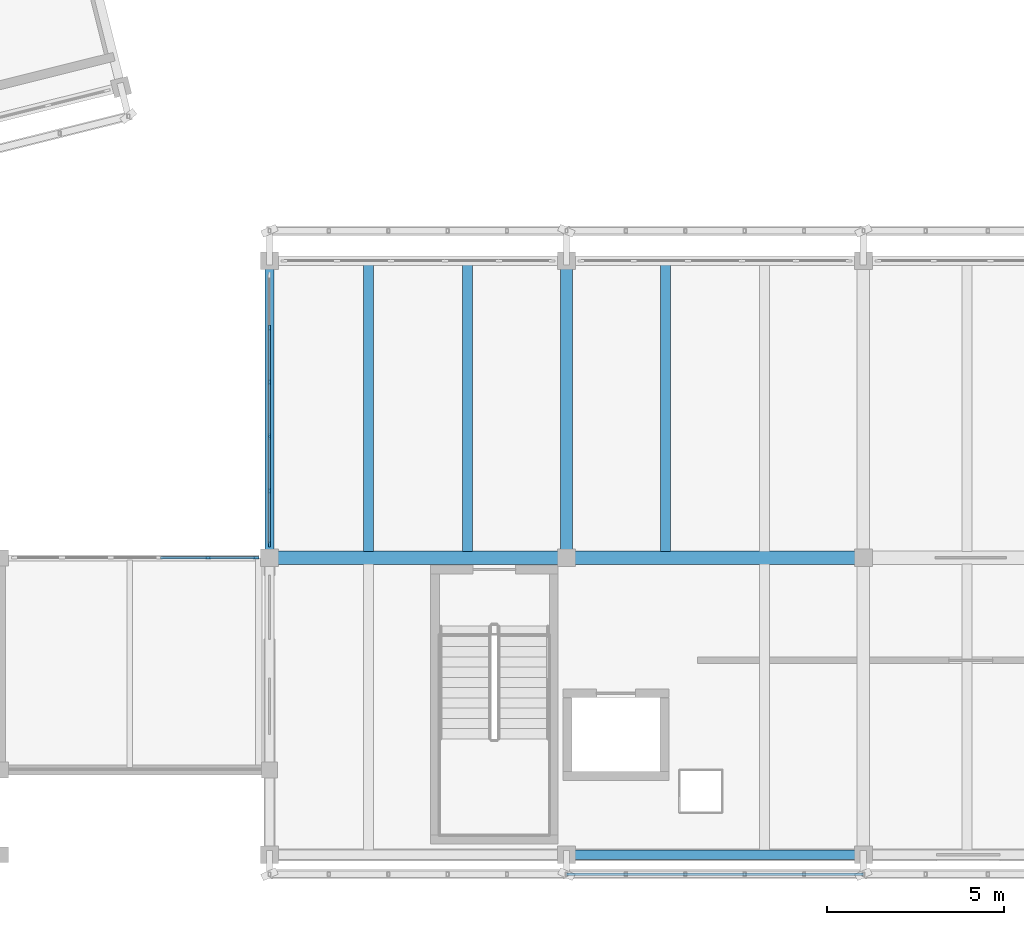
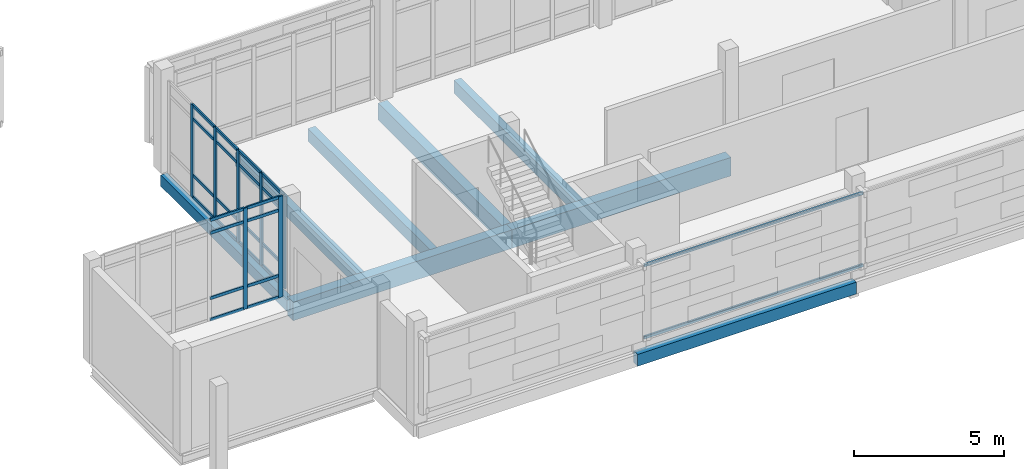
# One storey, part 9 of 137: 33 members, 8 beams, 2 elements without a shape of their own.
"""IFC4 building model written with IfcOpenShell, lengths in metres."""

from ifc_helpers import new_model, si_unit, direction, frame, origin, origin_2d, place, context, subcontext, project, spatial, rectangle, hollow_rectangle, extrude, material, material_profile, profile_set, type_object, element, aggregate, save


model = new_model("IFC4")

# Units and contexts
model_context = context("Model", 3, precision=1e-05, world=origin(), true_north=direction((0.0, 1.0)))
body_context = subcontext(model_context, "Body", "Model", "MODEL_VIEW")
ifc_project = project(units=[si_unit("LENGTHUNIT", "METRE"), si_unit("AREAUNIT", "SQUARE_METRE"), si_unit("VOLUMEUNIT", "CUBIC_METRE"), si_unit("PLANEANGLEUNIT", "RADIAN"), si_unit("MASSUNIT", "GRAM", prefix="KILO")], contexts=[model_context])

# Site, building, storey
site_placement = place(None, origin())
site = spatial("IfcSite", under=ifc_project, at=site_placement, CompositionType="ELEMENT")
building_placement = place(site_placement, origin())
building = spatial("IfcBuilding", under=site, at=building_placement, Name="Cinderway Yard Community Centre", CompositionType="ELEMENT")
storey_placement = place(building_placement, frame((0.0, 0.0, 4.800048828125)))
storey = spatial("IfcBuildingStorey", under=building, at=storey_placement, Name="L01", CompositionType="ELEMENT", Elevation=4.800048828125)

# Curtain wall, members
ifc_material_1 = material(Name="Aluminium 6063-T6", Category="aluminium")
curtain_wall_type_1 = type_object("IfcCurtainWallType", Name="ENV-CW-TYPE-28", PredefinedType="USERDEFINED", material=ifc_material_1)
curtain_wall_1_placement = place(storey_placement, origin())
curtain_wall_1 = element("IfcCurtainWall", 1, at=curtain_wall_1_placement, inside=storey, type_object=curtain_wall_type_1, Name="V3 West Curtain Wall ENV-CW-L01-ST-0100", ObjectType="GLAZED CURTAIN WALL", PredefinedType="USERDEFINED")
ifc_material_profile_1 = material_profile(ifc_material_1, rectangle(XDim=0.06005859375, YDim=0.159912109375, at=origin_2d()), Name="Aluminium 6063-T6")
ifc_profile_set_1 = profile_set([ifc_material_profile_1], Name="Aluminium 6063-T6")
member_type_1 = type_object("IfcMemberType", Name="ENV-CW-MULL-150", PredefinedType="MULLION", material=ifc_profile_set_1)
member_1_placement = place(storey_placement, frame((58.39990234375, 14.7900390625, 0.0), z_axis=(0.0, 0.0, 1.0), x_axis=(-1.0, 0.0, 0.0)))
member_1 = element("IfcMember", 2, at=member_1_placement, type_object=member_type_1, Name="CW-28 mullion 1", PredefinedType="MULLION", context=body_context, shape_type="SweptSolid", body=[
    extrude(rectangle(XDim=0.06005859375, YDim=0.159912109375, at=origin_2d()), origin(), (0.0, 0.0, 1.0), 3.75),
])
member_2_placement = place(storey_placement, frame((58.39990234375, 16.2958984375, 0.0), z_axis=(0.0, 0.0, 1.0), x_axis=(-1.0, 0.0, 0.0)))
member_2 = element("IfcMember", 3, at=member_2_placement, type_object=member_type_1, Name="CW-28 mullion 2", PredefinedType="MULLION", context=body_context, shape_type="SweptSolid", body=[
    extrude(rectangle(XDim=0.06005859375, YDim=0.159912109375, at=origin_2d()), origin(), (0.0, 0.0, 1.0), 3.75),
])
member_3_placement = place(storey_placement, frame((58.39990234375, 17.83203125, 0.0), z_axis=(0.0, 0.0, 1.0), x_axis=(-1.0, 0.0, 0.0)))
member_3 = element("IfcMember", 4, at=member_3_placement, type_object=member_type_1, Name="CW-28 mullion 3", PredefinedType="MULLION", context=body_context, shape_type="SweptSolid", body=[
    extrude(rectangle(XDim=0.06005859375, YDim=0.159912109375, at=origin_2d()), origin(), (0.0, 0.0, 1.0), 3.75),
])
member_4_placement = place(storey_placement, frame((58.39990234375, 19.367919921875, 0.0), z_axis=(0.0, 0.0, 1.0), x_axis=(-1.0, 0.0, 0.0)))
member_4 = element("IfcMember", 5, at=member_4_placement, type_object=member_type_1, Name="CW-28 mullion 4", PredefinedType="MULLION", context=body_context, shape_type="SweptSolid", body=[
    extrude(rectangle(XDim=0.06005859375, YDim=0.159912109375, at=origin_2d()), origin(), (0.0, 0.0, 1.0), 3.75),
])
member_5_placement = place(storey_placement, frame((58.39990234375, 20.904052734375, 0.0), z_axis=(0.0, 0.0, 1.0), x_axis=(-1.0, 0.0, 0.0)))
member_5 = element("IfcMember", 6, at=member_5_placement, type_object=member_type_1, Name="CW-28 mullion 5", PredefinedType="MULLION", context=body_context, shape_type="SweptSolid", body=[
    extrude(rectangle(XDim=0.06005859375, YDim=0.159912109375, at=origin_2d()), origin(), (0.0, 0.0, 1.0), 3.75),
])

curtain_wall_type_2 = type_object("IfcCurtainWallType", Name="ENV-CW-TYPE-36", PredefinedType="USERDEFINED", material=ifc_material_1)
curtain_wall_2_placement = place(storey_placement, origin())
curtain_wall_2 = element("IfcCurtainWall", 7, at=curtain_wall_2_placement, inside=storey, type_object=curtain_wall_type_2, Name="West Arcade Courtyard Curtain Wall ENV-CW-L01-ST-0200", ObjectType="GLAZED CURTAIN WALL", PredefinedType="USERDEFINED")
member_6_placement = place(storey_placement, frame((56.669921875, 14.39990234375, 0.0), z_axis=(0.0, 0.0, 1.0), x_axis=(0.0, 1.0, 0.0)))
member_6 = element("IfcMember", 8, at=member_6_placement, type_object=member_type_1, Name="CW-36 mullion 5", PredefinedType="MULLION", context=body_context, shape_type="SweptSolid", body=[
    extrude(rectangle(XDim=0.06005859375, YDim=0.159912109375, at=origin_2d()), origin(), (0.0, 0.0, 1.0), 4.099853515625),
])
member_7_placement = place(storey_placement, frame((58.02001953125, 14.39990234375, 0.0), z_axis=(0.0, 0.0, 1.0), x_axis=(0.0, 1.0, 0.0)))
member_7 = element("IfcMember", 9, at=member_7_placement, type_object=member_type_1, Name="CW-36 mullion 6", PredefinedType="MULLION", context=body_context, shape_type="SweptSolid", body=[
    extrude(rectangle(XDim=0.06005859375, YDim=0.159912109375, at=origin_2d()), origin(), (0.0, 0.0, 1.0), 4.099853515625),
])

# Member
ifc_material_profile_2 = material_profile(ifc_material_1, rectangle(XDim=0.06005859375, YDim=0.1201171875, at=origin_2d()), Name="Aluminium 6063-T6")
ifc_profile_set_2 = profile_set([ifc_material_profile_2], Name="Aluminium 6063-T6")
member_type_2 = type_object("IfcMemberType", Name="ENV-CW-TRAN-110", PredefinedType="USERDEFINED", material=ifc_profile_set_2)
member_8_placement = place(storey_placement, frame((58.39990234375, 14.820068359375, 0.030029296875), z_axis=(0.0, 1.0, 0.0), x_axis=(-1.0, 0.0, 0.0)))
member_8 = element("IfcMember", 10, at=member_8_placement, type_object=member_type_2, Name="CW-28 transom 1.1", ObjectType="TRANSOM", PredefinedType="USERDEFINED", context=body_context, shape_type="SweptSolid", body=[
    extrude(rectangle(XDim=0.06005859375, YDim=0.1201171875, at=origin_2d()), origin(), (0.0, 0.0, 1.0), 1.446044921875),
])

member_9_placement = place(storey_placement, frame((58.39990234375, 14.820068359375, 0.89990234375), z_axis=(0.0, 1.0, 0.0), x_axis=(-1.0, 0.0, 0.0)))
member_9 = element("IfcMember", 11, at=member_9_placement, type_object=member_type_2, Name="CW-28 transom 1.2", ObjectType="TRANSOM", PredefinedType="USERDEFINED", context=body_context, shape_type="SweptSolid", body=[
    extrude(rectangle(XDim=0.06005859375, YDim=0.1201171875, at=origin_2d()), origin(), (0.0, 0.0, 1.0), 1.446044921875),
])

member_10_placement = place(storey_placement, frame((58.39990234375, 14.820068359375, 3.199951171875), z_axis=(0.0, 1.0, 0.0), x_axis=(-1.0, 0.0, 0.0)))
member_10 = element("IfcMember", 12, at=member_10_placement, type_object=member_type_2, Name="CW-28 transom 1.3", ObjectType="TRANSOM", PredefinedType="USERDEFINED", context=body_context, shape_type="SweptSolid", body=[
    extrude(rectangle(XDim=0.06005859375, YDim=0.1201171875, at=origin_2d()), origin(), (0.0, 0.0, 1.0), 1.446044921875),
])

member_11_placement = place(storey_placement, frame((58.39990234375, 14.820068359375, 3.719970703125), z_axis=(0.0, 1.0, 0.0), x_axis=(-1.0, 0.0, 0.0)))
member_11 = element("IfcMember", 13, at=member_11_placement, type_object=member_type_2, Name="CW-28 transom 1.4", ObjectType="TRANSOM", PredefinedType="USERDEFINED", context=body_context, shape_type="SweptSolid", body=[
    extrude(rectangle(XDim=0.06005859375, YDim=0.1201171875, at=origin_2d()), origin(), (0.0, 0.0, 1.0), 1.446044921875),
])

member_12_placement = place(storey_placement, frame((58.39990234375, 16.325927734375, 0.030029296875), z_axis=(0.0, 1.0, 0.0), x_axis=(-1.0, 0.0, 0.0)))
member_12 = element("IfcMember", 14, at=member_12_placement, type_object=member_type_2, Name="CW-28 transom 2.1", ObjectType="TRANSOM", PredefinedType="USERDEFINED", context=body_context, shape_type="SweptSolid", body=[
    extrude(rectangle(XDim=0.06005859375, YDim=0.1201171875, at=origin_2d()), origin(), (0.0, 0.0, 1.0), 1.47607421875),
])

member_13_placement = place(storey_placement, frame((58.39990234375, 16.325927734375, 0.89990234375), z_axis=(0.0, 1.0, 0.0), x_axis=(-1.0, 0.0, 0.0)))
member_13 = element("IfcMember", 15, at=member_13_placement, type_object=member_type_2, Name="CW-28 transom 2.2", ObjectType="TRANSOM", PredefinedType="USERDEFINED", context=body_context, shape_type="SweptSolid", body=[
    extrude(rectangle(XDim=0.06005859375, YDim=0.1201171875, at=origin_2d()), origin(), (0.0, 0.0, 1.0), 1.47607421875),
])

member_14_placement = place(storey_placement, frame((58.39990234375, 16.325927734375, 3.199951171875), z_axis=(0.0, 1.0, 0.0), x_axis=(-1.0, 0.0, 0.0)))
member_14 = element("IfcMember", 16, at=member_14_placement, type_object=member_type_2, Name="CW-28 transom 2.3", ObjectType="TRANSOM", PredefinedType="USERDEFINED", context=body_context, shape_type="SweptSolid", body=[
    extrude(rectangle(XDim=0.06005859375, YDim=0.1201171875, at=origin_2d()), origin(), (0.0, 0.0, 1.0), 1.47607421875),
])

member_15_placement = place(storey_placement, frame((58.39990234375, 16.325927734375, 3.719970703125), z_axis=(0.0, 1.0, 0.0), x_axis=(-1.0, 0.0, 0.0)))
member_15 = element("IfcMember", 17, at=member_15_placement, type_object=member_type_2, Name="CW-28 transom 2.4", ObjectType="TRANSOM", PredefinedType="USERDEFINED", context=body_context, shape_type="SweptSolid", body=[
    extrude(rectangle(XDim=0.06005859375, YDim=0.1201171875, at=origin_2d()), origin(), (0.0, 0.0, 1.0), 1.47607421875),
])

member_16_placement = place(storey_placement, frame((58.39990234375, 17.862060546875, 0.030029296875), z_axis=(0.0, 1.0, 0.0), x_axis=(-1.0, 0.0, 0.0)))
member_16 = element("IfcMember", 18, at=member_16_placement, type_object=member_type_2, Name="CW-28 transom 3.1", ObjectType="TRANSOM", PredefinedType="USERDEFINED", context=body_context, shape_type="SweptSolid", body=[
    extrude(rectangle(XDim=0.06005859375, YDim=0.1201171875, at=origin_2d()), origin(), (0.0, 0.0, 1.0), 1.475830078125),
])

member_17_placement = place(storey_placement, frame((58.39990234375, 17.862060546875, 0.89990234375), z_axis=(0.0, 1.0, 0.0), x_axis=(-1.0, 0.0, 0.0)))
member_17 = element("IfcMember", 19, at=member_17_placement, type_object=member_type_2, Name="CW-28 transom 3.2", ObjectType="TRANSOM", PredefinedType="USERDEFINED", context=body_context, shape_type="SweptSolid", body=[
    extrude(rectangle(XDim=0.06005859375, YDim=0.1201171875, at=origin_2d()), origin(), (0.0, 0.0, 1.0), 1.475830078125),
])

member_18_placement = place(storey_placement, frame((58.39990234375, 17.862060546875, 3.199951171875), z_axis=(0.0, 1.0, 0.0), x_axis=(-1.0, 0.0, 0.0)))
member_18 = element("IfcMember", 20, at=member_18_placement, type_object=member_type_2, Name="CW-28 transom 3.3", ObjectType="TRANSOM", PredefinedType="USERDEFINED", context=body_context, shape_type="SweptSolid", body=[
    extrude(rectangle(XDim=0.06005859375, YDim=0.1201171875, at=origin_2d()), origin(), (0.0, 0.0, 1.0), 1.475830078125),
])

member_19_placement = place(storey_placement, frame((58.39990234375, 17.862060546875, 3.719970703125), z_axis=(0.0, 1.0, 0.0), x_axis=(-1.0, 0.0, 0.0)))
member_19 = element("IfcMember", 21, at=member_19_placement, type_object=member_type_2, Name="CW-28 transom 3.4", ObjectType="TRANSOM", PredefinedType="USERDEFINED", context=body_context, shape_type="SweptSolid", body=[
    extrude(rectangle(XDim=0.06005859375, YDim=0.1201171875, at=origin_2d()), origin(), (0.0, 0.0, 1.0), 1.475830078125),
])

member_20_placement = place(storey_placement, frame((58.39990234375, 19.39794921875, 0.030029296875), z_axis=(0.0, 1.0, 0.0), x_axis=(-1.0, 0.0, 0.0)))
member_20 = element("IfcMember", 22, at=member_20_placement, type_object=member_type_2, Name="CW-28 transom 4.1", ObjectType="TRANSOM", PredefinedType="USERDEFINED", context=body_context, shape_type="SweptSolid", body=[
    extrude(rectangle(XDim=0.06005859375, YDim=0.1201171875, at=origin_2d()), origin(), (0.0, 0.0, 1.0), 1.47607421875),
])

member_21_placement = place(storey_placement, frame((58.39990234375, 19.39794921875, 0.89990234375), z_axis=(0.0, 1.0, 0.0), x_axis=(-1.0, 0.0, 0.0)))
member_21 = element("IfcMember", 23, at=member_21_placement, type_object=member_type_2, Name="CW-28 transom 4.2", ObjectType="TRANSOM", PredefinedType="USERDEFINED", context=body_context, shape_type="SweptSolid", body=[
    extrude(rectangle(XDim=0.06005859375, YDim=0.1201171875, at=origin_2d()), origin(), (0.0, 0.0, 1.0), 1.47607421875),
])

member_22_placement = place(storey_placement, frame((58.39990234375, 19.39794921875, 3.199951171875), z_axis=(0.0, 1.0, 0.0), x_axis=(-1.0, 0.0, 0.0)))
member_22 = element("IfcMember", 24, at=member_22_placement, type_object=member_type_2, Name="CW-28 transom 4.3", ObjectType="TRANSOM", PredefinedType="USERDEFINED", context=body_context, shape_type="SweptSolid", body=[
    extrude(rectangle(XDim=0.06005859375, YDim=0.1201171875, at=origin_2d()), origin(), (0.0, 0.0, 1.0), 1.47607421875),
])

member_23_placement = place(storey_placement, frame((58.39990234375, 19.39794921875, 3.719970703125), z_axis=(0.0, 1.0, 0.0), x_axis=(-1.0, 0.0, 0.0)))
member_23 = element("IfcMember", 25, at=member_23_placement, type_object=member_type_2, Name="CW-28 transom 4.4", ObjectType="TRANSOM", PredefinedType="USERDEFINED", context=body_context, shape_type="SweptSolid", body=[
    extrude(rectangle(XDim=0.06005859375, YDim=0.1201171875, at=origin_2d()), origin(), (0.0, 0.0, 1.0), 1.47607421875),
])

aggregate(curtain_wall_1, [member_1, member_2, member_3, member_4, member_5, member_8, member_9, member_10, member_11, member_12, member_13, member_14, member_15, member_16, member_17, member_18, member_19, member_20, member_21, member_22, member_23])

member_24_placement = place(storey_placement, frame((55.320068359375, 14.39990234375, 0.030029296875), z_axis=(1.0, 0.0, 0.0), x_axis=(0.0, 1.0, 0.0)))
member_24 = element("IfcMember", 26, at=member_24_placement, type_object=member_type_2, Name="CW-36 transom 4.1", ObjectType="TRANSOM", PredefinedType="USERDEFINED", context=body_context, shape_type="SweptSolid", body=[
    extrude(rectangle(XDim=0.06005859375, YDim=0.1201171875, at=origin_2d()), origin(), (0.0, 0.0, 1.0), 1.31982421875),
])

member_25_placement = place(storey_placement, frame((55.320068359375, 14.39990234375, 0.89990234375), z_axis=(1.0, 0.0, 0.0), x_axis=(0.0, 1.0, 0.0)))
member_25 = element("IfcMember", 27, at=member_25_placement, type_object=member_type_2, Name="CW-36 transom 4.2", ObjectType="TRANSOM", PredefinedType="USERDEFINED", context=body_context, shape_type="SweptSolid", body=[
    extrude(rectangle(XDim=0.06005859375, YDim=0.1201171875, at=origin_2d()), origin(), (0.0, 0.0, 1.0), 1.31982421875),
])

member_26_placement = place(storey_placement, frame((55.320068359375, 14.39990234375, 3.550048828125), z_axis=(1.0, 0.0, 0.0), x_axis=(0.0, 1.0, 0.0)))
member_26 = element("IfcMember", 28, at=member_26_placement, type_object=member_type_2, Name="CW-36 transom 4.3", ObjectType="TRANSOM", PredefinedType="USERDEFINED", context=body_context, shape_type="SweptSolid", body=[
    extrude(rectangle(XDim=0.06005859375, YDim=0.1201171875, at=origin_2d()), origin(), (0.0, 0.0, 1.0), 1.31982421875),
])

member_27_placement = place(storey_placement, frame((55.320068359375, 14.39990234375, 4.070068359375), z_axis=(1.0, 0.0, 0.0), x_axis=(0.0, 1.0, 0.0)))
member_27 = element("IfcMember", 29, at=member_27_placement, type_object=member_type_2, Name="CW-36 transom 4.4", ObjectType="TRANSOM", PredefinedType="USERDEFINED", context=body_context, shape_type="SweptSolid", body=[
    extrude(rectangle(XDim=0.06005859375, YDim=0.1201171875, at=origin_2d()), origin(), (0.0, 0.0, 1.0), 1.31982421875),
])

member_28_placement = place(storey_placement, frame((56.699951171875, 14.39990234375, 0.030029296875), z_axis=(1.0, 0.0, 0.0), x_axis=(0.0, 1.0, 0.0)))
member_28 = element("IfcMember", 30, at=member_28_placement, type_object=member_type_2, Name="CW-36 transom 5.1", ObjectType="TRANSOM", PredefinedType="USERDEFINED", context=body_context, shape_type="SweptSolid", body=[
    extrude(rectangle(XDim=0.06005859375, YDim=0.1201171875, at=origin_2d()), origin(), (0.0, 0.0, 1.0), 1.2900390625),
])

member_29_placement = place(storey_placement, frame((56.699951171875, 14.39990234375, 0.89990234375), z_axis=(1.0, 0.0, 0.0), x_axis=(0.0, 1.0, 0.0)))
member_29 = element("IfcMember", 31, at=member_29_placement, type_object=member_type_2, Name="CW-36 transom 5.2", ObjectType="TRANSOM", PredefinedType="USERDEFINED", context=body_context, shape_type="SweptSolid", body=[
    extrude(rectangle(XDim=0.06005859375, YDim=0.1201171875, at=origin_2d()), origin(), (0.0, 0.0, 1.0), 1.2900390625),
])

member_30_placement = place(storey_placement, frame((56.699951171875, 14.39990234375, 3.550048828125), z_axis=(1.0, 0.0, 0.0), x_axis=(0.0, 1.0, 0.0)))
member_30 = element("IfcMember", 32, at=member_30_placement, type_object=member_type_2, Name="CW-36 transom 5.3", ObjectType="TRANSOM", PredefinedType="USERDEFINED", context=body_context, shape_type="SweptSolid", body=[
    extrude(rectangle(XDim=0.06005859375, YDim=0.1201171875, at=origin_2d()), origin(), (0.0, 0.0, 1.0), 1.2900390625),
])

member_31_placement = place(storey_placement, frame((56.699951171875, 14.39990234375, 4.070068359375), z_axis=(1.0, 0.0, 0.0), x_axis=(0.0, 1.0, 0.0)))
member_31 = element("IfcMember", 33, at=member_31_placement, type_object=member_type_2, Name="CW-36 transom 5.4", ObjectType="TRANSOM", PredefinedType="USERDEFINED", context=body_context, shape_type="SweptSolid", body=[
    extrude(rectangle(XDim=0.06005859375, YDim=0.1201171875, at=origin_2d()), origin(), (0.0, 0.0, 1.0), 1.2900390625),
])

aggregate(curtain_wall_2, [member_6, member_7, member_24, member_25, member_26, member_27, member_28, member_29, member_30, member_31])

# Members
ifc_material_2 = material(Name="Steel S355", Category="steel")
ifc_material_profile_3 = material_profile(ifc_material_2, hollow_rectangle(XDim=0.080078125, YDim=0.1201171875, WallThickness=0.00634765625, InnerFilletRadius=0.00634765625, OuterFilletRadius=0.0126953125, at=origin_2d()), Name="Steel S355")
ifc_profile_set_3 = profile_set([ifc_material_profile_3], Name="Steel S355")
member_type_3 = type_object("IfcMemberType", Name="ENV-MEM-SCREEN-RAIL-120", PredefinedType="STRINGER", material=ifc_profile_set_3)
for number, where, z_axis, x_axis, name in (
    (34, (66.800048828125, 5.449951171875, 0.7099609375), (1.0, 0.0, 0.0), (0.0, 1.0, 0.0), "Screen support rail 0553-BOT"),
    (35, (66.800048828125, 5.449951171875, 3.639892578125), (1.0, 0.0, 0.0), (0.0, 1.0, 0.0), "Screen support rail 0554-TOP"),
):
    element("IfcMember", number, at=place(storey_placement, frame(where, z_axis=z_axis, x_axis=x_axis)), inside=storey, type_object=member_type_3, Name=name, PredefinedType="STRINGER", context=body_context, shape_type="SweptSolid", body=[
        extrude(hollow_rectangle(XDim=0.080078125, YDim=0.1201171875, WallThickness=0.00634765625, InnerFilletRadius=0.00634765625, OuterFilletRadius=0.0126953125, at=origin_2d()), origin(), (0.0, 0.0, 1.0), 8.39990234375),
    ])

# Beams
ifc_material_3 = material(Name="Concrete C40/50", Category="concrete")
ifc_material_profile_4 = material_profile(ifc_material_3, rectangle(XDim=0.25, YDim=0.449951171875, at=origin_2d()), Name="Concrete C40/50")
ifc_profile_set_4 = profile_set([ifc_material_profile_4], Name="Concrete C40/50")
beam_type_1 = type_object("IfcBeamType", Name="STR-BM-RC250X450", PredefinedType="SPANDREL", material=ifc_profile_set_4)
beam_1_placement = place(storey_placement, frame((58.39990234375, 14.39990234375, -0.465087890625), z_axis=(0.0, 1.0, 0.0), x_axis=(-1.0, 0.0, 0.0)))
element("IfcBeam", 36, at=beam_1_placement, inside=storey, type_object=beam_type_1, Name="Transverse girder STR-BM-L01-SP02-0133", PredefinedType="SPANDREL", context=body_context, shape_type="SweptSolid", body=[
    extrude(rectangle(XDim=0.25, YDim=0.449951171875, at=origin_2d()), origin(), (0.0, 0.0, 1.0), 8.400146484375),
])
ifc_material_profile_5 = material_profile(ifc_material_3, rectangle(XDim=0.260009765625, YDim=0.47998046875, at=origin_2d()), Name="Concrete C40/50")
ifc_profile_set_5 = profile_set([ifc_material_profile_5], Name="Concrete C40/50")
beam_type_2 = type_object("IfcBeamType", Name="STR-BM-RC260X480", PredefinedType="SPANDREL", material=ifc_profile_set_5)
beam_2_placement = place(storey_placement, frame((66.800048828125, 6.0, -0.47998046875), z_axis=(1.0, 0.0, 0.0), x_axis=(0.0, 1.0, 0.0)))
element("IfcBeam", 37, at=beam_2_placement, inside=storey, type_object=beam_type_2, Name="Primary girder STR-BM-L01-SP01-0112", PredefinedType="SPANDREL", context=body_context, shape_type="SweptSolid", body=[
    extrude(rectangle(XDim=0.260009765625, YDim=0.47998046875, at=origin_2d()), origin(), (0.0, 0.0, 1.0), 8.39990234375),
])
ifc_material_4 = material(Name="Concrete C35/45", Category="concrete")
ifc_material_profile_6 = material_profile(ifc_material_4, rectangle(XDim=0.280029296875, YDim=0.52001953125, at=origin_2d()), Name="Concrete C35/45")
ifc_profile_set_6 = profile_set([ifc_material_profile_6], Name="Concrete C35/45")
beam_type_3 = type_object("IfcBeamType", Name="STR-BM-RC280X520", PredefinedType="JOIST", material=ifc_profile_set_6)
for number, where, z_axis, x_axis, name in (
    (38, (61.199951171875, 14.572021484375, -0.5), (0.0, 1.0, 0.0), (-1.0, 0.0, 0.0), "Secondary joist STR-BM-L01-BJ04-0148"),
    (39, (64.0, 14.572021484375, -0.5), (0.0, 1.0, 0.0), (-1.0, 0.0, 0.0), "Secondary joist STR-BM-L01-BJ04-0149"),
    (40, (69.60009765625, 14.572021484375, -0.5), (0.0, 1.0, 0.0), (-1.0, 0.0, 0.0), "Secondary joist STR-BM-L01-BJ04-0151"),
):
    element("IfcBeam", number, at=place(storey_placement, frame(where, z_axis=z_axis, x_axis=x_axis)), inside=storey, type_object=beam_type_3, Name=name, PredefinedType="JOIST", context=body_context, shape_type="SweptSolid", body=[
        extrude(rectangle(XDim=0.280029296875, YDim=0.52001953125, at=origin_2d()), origin(), (0.0, 0.0, 1.0), 8.115966796875),
    ])
ifc_material_profile_7 = material_profile(ifc_material_4, rectangle(XDim=0.35009765625, YDim=0.699951171875, at=origin_2d()), Name="Concrete C35/45")
ifc_profile_set_7 = profile_set([ifc_material_profile_7], Name="Concrete C35/45")
beam_type_4 = type_object("IfcBeamType", Name="STR-BM-RC350X700", PredefinedType="BEAM", material=ifc_profile_set_7)
beam_3_placement = place(storey_placement, frame((66.800048828125, 14.39990234375, -0.590087890625), z_axis=(0.0, 1.0, 0.0), x_axis=(-1.0, 0.0, 0.0)))
element("IfcBeam", 41, at=beam_3_placement, inside=storey, type_object=beam_type_4, Name="Transverse girder STR-BM-L01-BG07-0134", PredefinedType="BEAM", context=body_context, shape_type="SweptSolid", body=[
    extrude(rectangle(XDim=0.35009765625, YDim=0.699951171875, at=origin_2d()), origin(), (0.0, 0.0, 1.0), 8.400146484375),
])
ifc_material_profile_8 = material_profile(ifc_material_4, rectangle(XDim=0.3798828125, YDim=0.75, at=origin_2d()), Name="Concrete C35/45")
ifc_profile_set_8 = profile_set([ifc_material_profile_8], Name="Concrete C35/45")
beam_type_5 = type_object("IfcBeamType", Name="STR-BM-RC380X750", PredefinedType="BEAM", material=ifc_profile_set_8)
beam_4_placement = place(storey_placement, frame((58.39990234375, 14.39990234375, -0.614990234375), z_axis=(1.0, 0.0, 0.0), x_axis=(0.0, 1.0, 0.0)))
element("IfcBeam", 42, at=beam_4_placement, inside=storey, type_object=beam_type_5, Name="Primary girder STR-BM-L01-BG06-0118", PredefinedType="BEAM", context=body_context, shape_type="SweptSolid", body=[
    extrude(rectangle(XDim=0.3798828125, YDim=0.75, at=origin_2d()), origin(), (0.0, 0.0, 1.0), 8.400146484375),
])
beam_5_placement = place(storey_placement, frame((66.800048828125, 14.39990234375, -0.614990234375), z_axis=(1.0, 0.0, 0.0), x_axis=(0.0, 1.0, 0.0)))
element("IfcBeam", 43, at=beam_5_placement, inside=storey, type_object=beam_type_5, Name="Primary girder STR-BM-L01-BG06-0119", PredefinedType="BEAM", context=body_context, shape_type="SweptSolid", body=[
    extrude(rectangle(XDim=0.3798828125, YDim=0.75, at=origin_2d()), origin(), (0.0, 0.0, 1.0), 8.39990234375),
])

save(model, "model.ifc")
